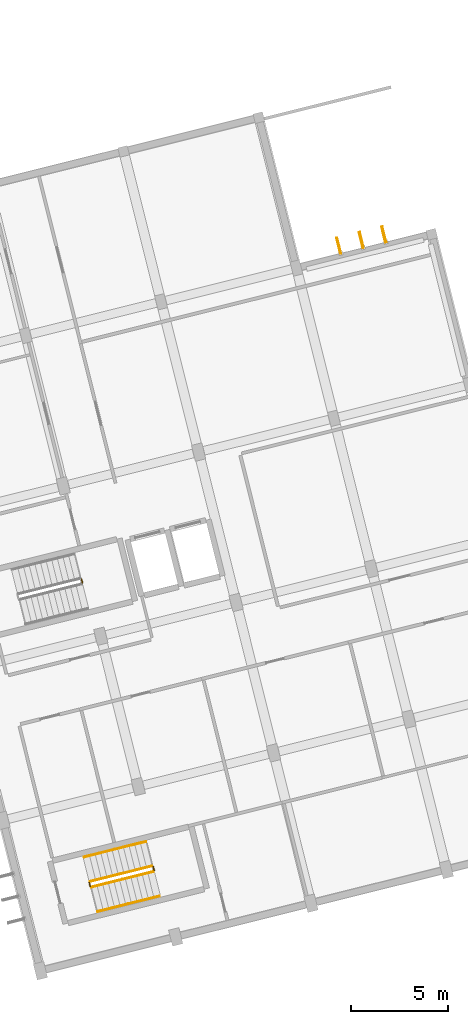
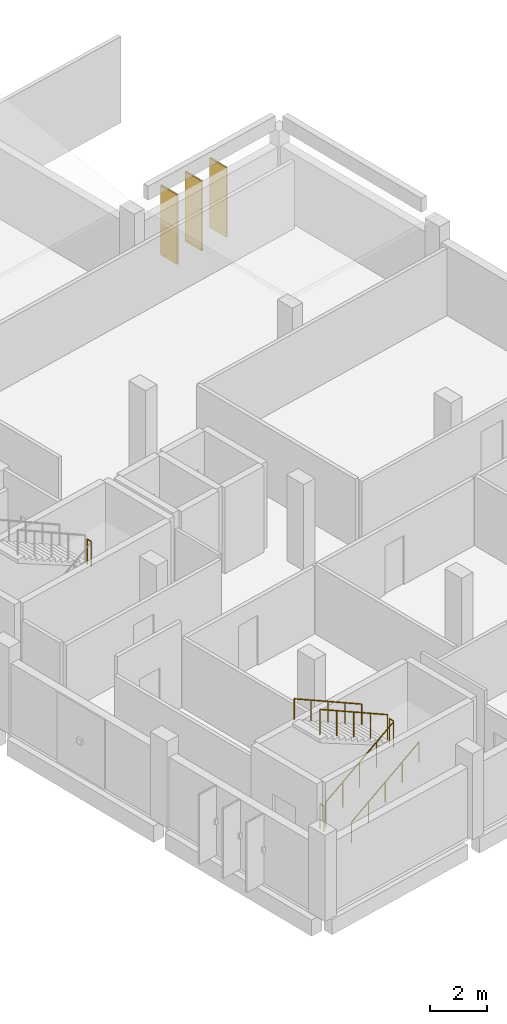
# One storey, part 47 of 47: 7 railings, 3 shading devices.
"""IFC4 building model written with IfcOpenShell, lengths in metres."""

from ifc_helpers import new_model, si_unit, direction, frame, origin, origin_2d, place, context, subcontext, project, spatial, hollow_rectangle, circle, extrude, material, material_profile, profile_set, type_object, element, save


model = new_model("IFC4")

# Units and contexts
model_context = context("Model", 3, precision=1e-05, world=origin(), true_north=direction((0.0, 1.0)))
body_context = subcontext(model_context, "Body", "Model", "MODEL_VIEW")
ifc_project = project(units=[si_unit("LENGTHUNIT", "METRE"), si_unit("AREAUNIT", "SQUARE_METRE"), si_unit("VOLUMEUNIT", "CUBIC_METRE"), si_unit("PLANEANGLEUNIT", "RADIAN"), si_unit("MASSUNIT", "GRAM", prefix="KILO")], contexts=[model_context])

# Site, building, storey
site_placement = place(None, origin())
site = spatial("IfcSite", under=ifc_project, at=site_placement, CompositionType="ELEMENT")
building_placement = place(site_placement, origin())
building = spatial("IfcBuilding", under=site, at=building_placement, Name="Mawjan Specialist Oncology Clinic", CompositionType="ELEMENT")
storey_placement = place(building_placement, frame((0.0, 0.0, 9.5)))
storey = spatial("IfcBuildingStorey", under=building, at=storey_placement, Name="L02", CompositionType="ELEMENT", Elevation=9.5)

# Railings
ifc_material_1 = material(Name="Powder-coated steel stair guard with vertical infill pickets", Category="steel")
railing_type_1 = type_object("IfcRailingType", Name="GR-110", PredefinedType="GUARDRAIL", material=ifc_material_1)
railing_1_placement = place(storey_placement, frame((128.171142578125, 20.81982421875, 2.0)))
element("IfcRailing", 1, at=railing_1_placement, inside=storey, type_object=railing_type_1, Name="L02 ST-05 stair guard 2", PredefinedType="GUARDRAIL", context=body_context, shape_type="SweptSolid", body=[
    extrude(circle(Radius=0.02392578125, at=origin_2d()), frame((0.0, 0.0, 1.076171875), z_axis=(-0.241673946692, 0.970357513234, 0.0), x_axis=(-0.970357513234, -0.241673946692, 0.0)), (0.0, 0.0, 1.0), 0.199951171875),
    extrude(circle(Radius=0.02099609375, at=origin_2d()), origin(), (0.0, 0.0, 1.0), 1.052001953125),
    extrude(circle(Radius=0.02099609375, at=origin_2d()), frame((-0.04833984375, 0.194091796875, 0.0)), (0.0, 0.0, 1.0), 1.052001953125),
])
railing_2_placement = place(storey_placement, frame((128.63427734375, 5.115478515625, 0.166748046875)))
element("IfcRailing", 2, at=railing_2_placement, inside=storey, type_object=railing_type_1, Name="L02 ST-06 stair guard 1", PredefinedType="GUARDRAIL", context=body_context, shape_type="SweptSolid", body=[
    extrude(circle(Radius=0.02392578125, at=origin_2d()), frame((0.0, 0.0, 1.076171875), z_axis=(0.848194742127, 0.211482791213, 0.485634336152), x_axis=(-0.24192630068, 0.970294627956, 0.0)), (0.0, 0.0, 1.0), 3.77490234375),
    extrude(circle(Radius=0.02099609375, at=origin_2d()), origin(), (0.0, 0.0, 1.0), 1.052001953125),
    extrude(circle(Radius=0.02099609375, at=origin_2d()), frame((0.800537109375, 0.19970703125, 0.458251953125)), (0.0, 0.0, 1.0), 1.052001953125),
    extrude(circle(Radius=0.02099609375, at=origin_2d()), frame((1.60107421875, 0.399169921875, 0.91650390625)), (0.0, 0.0, 1.0), 1.052001953125),
    extrude(circle(Radius=0.02099609375, at=origin_2d()), frame((2.4013671875, 0.5986328125, 1.375)), (0.0, 0.0, 1.0), 1.052001953125),
    extrude(circle(Radius=0.02099609375, at=origin_2d()), frame((3.201904296875, 0.79833984375, 1.833251953125)), (0.0, 0.0, 1.0), 1.052001953125),
])
railing_3_placement = place(storey_placement, frame((131.87255859375, 5.974365234375, 2.0)))
element("IfcRailing", 3, at=railing_3_placement, inside=storey, type_object=railing_type_1, Name="L02 ST-06 stair guard 2", PredefinedType="GUARDRAIL", context=body_context, shape_type="SweptSolid", body=[
    extrude(circle(Radius=0.02392578125, at=origin_2d()), frame((0.0, 0.0, 1.076171875), z_axis=(-0.241673946692, 0.970357513234, 0.0), x_axis=(-0.970357513234, -0.241673946692, 0.0)), (0.0, 0.0, 1.0), 0.199951171875),
    extrude(circle(Radius=0.02099609375, at=origin_2d()), origin(), (0.0, 0.0, 1.0), 1.052001953125),
    extrude(circle(Radius=0.02099609375, at=origin_2d()), frame((-0.04833984375, 0.194091796875, 0.0)), (0.0, 0.0, 1.0), 1.052001953125),
])
railing_4_placement = place(storey_placement, frame((131.763671875, 6.204833984375, 2.166748046875)))
element("IfcRailing", 4, at=railing_4_placement, inside=storey, type_object=railing_type_1, Name="L02 ST-06 stair guard 3", PredefinedType="GUARDRAIL", context=body_context, shape_type="SweptSolid", body=[
    extrude(circle(Radius=0.02392578125, at=origin_2d()), frame((0.0, 0.0, 1.076171875), z_axis=(-0.848194742127, -0.211482791213, 0.485634336152), x_axis=(0.24192630068, -0.970294627956, 0.0)), (0.0, 0.0, 1.0), 3.77490234375),
    extrude(circle(Radius=0.02099609375, at=origin_2d()), origin(), (0.0, 0.0, 1.0), 1.052001953125),
    extrude(circle(Radius=0.02099609375, at=origin_2d()), frame((-0.800537109375, -0.19970703125, 0.458251953125)), (0.0, 0.0, 1.0), 1.052001953125),
    extrude(circle(Radius=0.02099609375, at=origin_2d()), frame((-1.60107421875, -0.399169921875, 0.91650390625)), (0.0, 0.0, 1.0), 1.052001953125),
    extrude(circle(Radius=0.02099609375, at=origin_2d()), frame((-2.4013671875, -0.5986328125, 1.375)), (0.0, 0.0, 1.0), 1.052001953125),
    extrude(circle(Radius=0.02099609375, at=origin_2d()), frame((-3.201904296875, -0.79833984375, 1.833251953125)), (0.0, 0.0, 1.0), 1.052001953125),
])
railing_5_placement = place(storey_placement, frame((128.57373046875, 5.15185546875, 0.0)))
element("IfcRailing", 5, at=railing_5_placement, inside=storey, type_object=railing_type_1, Name="L02 ST-06 stair guard 4", PredefinedType="GUARDRAIL", context=body_context, shape_type="SweptSolid", body=[
    extrude(circle(Radius=0.02392578125, at=origin_2d()), frame((0.0, 0.0, 1.076171875), z_axis=(-0.242822723755, 0.970070680326, 0.0), x_axis=(-0.970070680326, -0.242822723755, 0.0)), (0.0, 0.0, 1.0), 0.2001953125),
    extrude(circle(Radius=0.02099609375, at=origin_2d()), origin(), (0.0, 0.0, 1.0), 1.052001953125),
    extrude(circle(Radius=0.02099609375, at=origin_2d()), frame((-0.048583984375, 0.194091796875, 0.0)), (0.0, 0.0, 1.0), 1.052001953125),
])
ifc_material_2 = material(Name="Brushed stainless-steel tubular handrail", Category="steel")
railing_type_2 = type_object("IfcRailingType", Name="HR-090", PredefinedType="HANDRAIL", material=ifc_material_2)
railing_6_placement = place(storey_placement, frame((128.94873046875, 3.85400390625, 0.166748046875)))
element("IfcRailing", 6, at=railing_6_placement, inside=storey, type_object=railing_type_2, Name="L02 ST-06 stair handrail 1", PredefinedType="HANDRAIL", context=body_context, shape_type="SweptSolid", body=[
    extrude(circle(Radius=0.02392578125, at=origin_2d()), frame((0.0, 0.0, 0.8759765625), z_axis=(0.848194742127, 0.211482791213, 0.485634336152), x_axis=(-0.24192630068, 0.970294627956, 0.0)), (0.0, 0.0, 1.0), 3.77490234375),
    extrude(circle(Radius=0.02099609375, at=origin_2d()), origin(), (0.0, 0.0, 1.0), 0.851806640625),
    extrude(circle(Radius=0.02099609375, at=origin_2d()), frame((0.800537109375, 0.19970703125, 0.458251953125)), (0.0, 0.0, 1.0), 0.851806640625),
    extrude(circle(Radius=0.02099609375, at=origin_2d()), frame((1.60107421875, 0.399169921875, 0.91650390625)), (0.0, 0.0, 1.0), 0.851806640625),
    extrude(circle(Radius=0.02099609375, at=origin_2d()), frame((2.4013671875, 0.5986328125, 1.375)), (0.0, 0.0, 1.0), 0.851806640625),
    extrude(circle(Radius=0.02099609375, at=origin_2d()), frame((3.201904296875, 0.79833984375, 1.833251953125)), (0.0, 0.0, 1.0), 0.851806640625),
])
railing_7_placement = place(storey_placement, frame((131.44921875, 7.46630859375, 2.166748046875)))
element("IfcRailing", 7, at=railing_7_placement, inside=storey, type_object=railing_type_2, Name="L02 ST-06 stair handrail 2", PredefinedType="HANDRAIL", context=body_context, shape_type="SweptSolid", body=[
    extrude(circle(Radius=0.02392578125, at=origin_2d()), frame((0.0, 0.0, 0.8759765625), z_axis=(-0.848212885837, -0.211471190659, 0.485607697449), x_axis=(0.241908934998, -0.970298957625, 0.0)), (0.0, 0.0, 1.0), 3.775146484375),
    extrude(circle(Radius=0.02099609375, at=origin_2d()), origin(), (0.0, 0.0, 1.0), 0.851806640625),
    extrude(circle(Radius=0.02099609375, at=origin_2d()), frame((-0.800537109375, -0.19970703125, 0.458251953125)), (0.0, 0.0, 1.0), 0.851806640625),
    extrude(circle(Radius=0.02099609375, at=origin_2d()), frame((-1.60107421875, -0.399169921875, 0.91650390625)), (0.0, 0.0, 1.0), 0.851806640625),
    extrude(circle(Radius=0.02099609375, at=origin_2d()), frame((-2.401611328125, -0.5986328125, 1.375)), (0.0, 0.0, 1.0), 0.851806640625),
    extrude(circle(Radius=0.02099609375, at=origin_2d()), frame((-3.2021484375, -0.79833984375, 1.833251953125)), (0.0, 0.0, 1.0), 0.851806640625),
])

# Shading devices
ifc_material_3 = material(Name="Bronze-anodised aluminium 6063-T6", Category="aluminium")
ifc_material_profile = material_profile(ifc_material_3, hollow_rectangle(XDim=0.070068359375, YDim=0.85009765625, WallThickness=0.0048828125, at=origin_2d()), Name="FIN 850x70x5", Category="aluminium")
ifc_profile_set = profile_set([ifc_material_profile], Name="Bronze-anodised aluminium 6063-T6")
shading_device_type = type_object("IfcShadingDeviceType", Name="SF-850", PredefinedType="USERDEFINED", material=ifc_profile_set)
for number, where, z_axis, x_axis, name in (
    (8, (141.40283203125, 38.22802734375, 0.0), (0.0, 0.0, 1.0), (0.970295726276, 0.2419218956, 0.0), "L02 Vertical Solar Fin SF-0013"),
    (9, (142.567138671875, 38.518310546875, 0.0), (0.0, 0.0, 1.0), (0.970295726276, 0.2419218956, 0.0), "L02 Vertical Solar Fin SF-0014"),
    (10, (143.731689453125, 38.80859375, 0.0), (0.0, 0.0, 1.0), (0.970295726276, 0.2419218956, 0.0), "L02 Vertical Solar Fin SF-0015"),
):
    element("IfcShadingDevice", number, at=place(storey_placement, frame(where, z_axis=z_axis, x_axis=x_axis)), inside=storey, type_object=shading_device_type, Name=name, ObjectType="SOLAR FIN", PredefinedType="USERDEFINED", context=body_context, shape_type="SweptSolid", body=[
        extrude(hollow_rectangle(XDim=0.070068359375, YDim=0.85009765625, WallThickness=0.0048828125, at=origin_2d()), origin(), (0.0, 0.0, 1.0), 2.985107421875),
    ])

save(model, "model.ifc")
